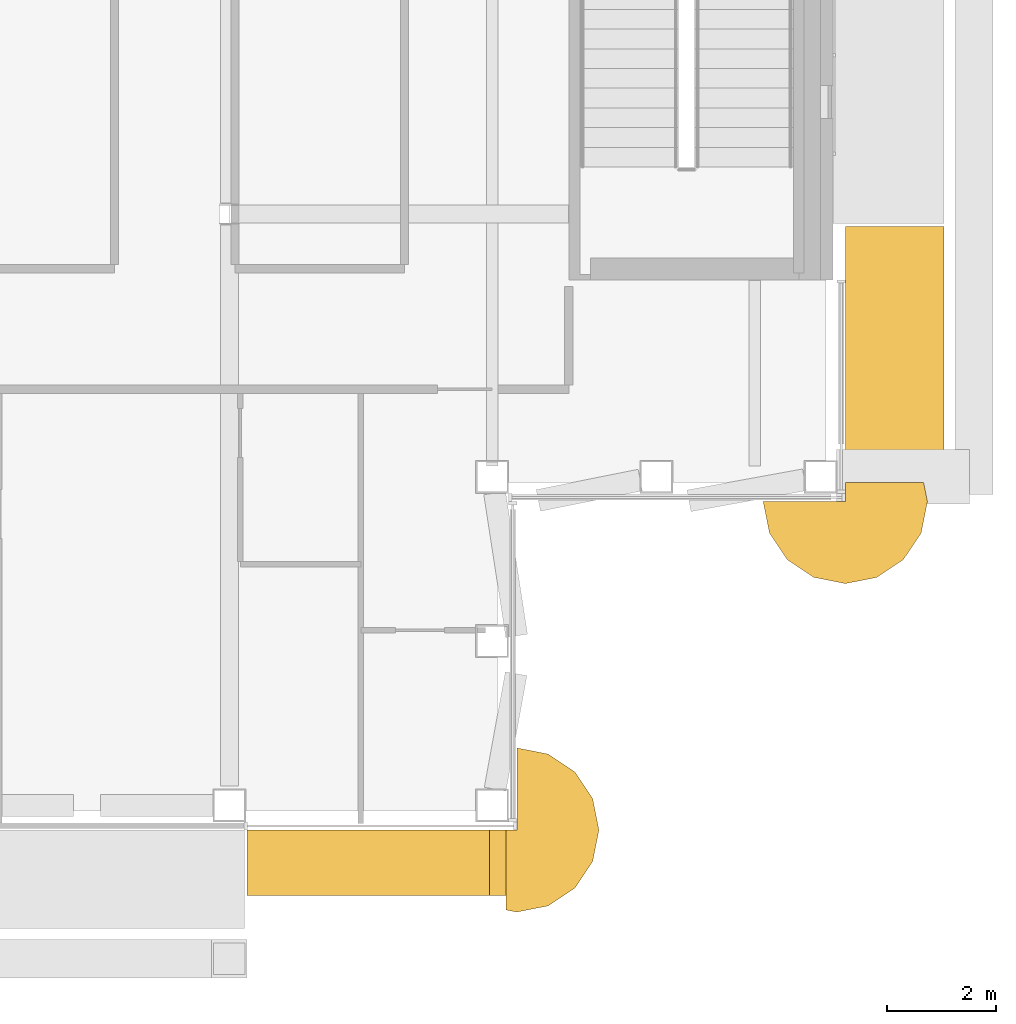
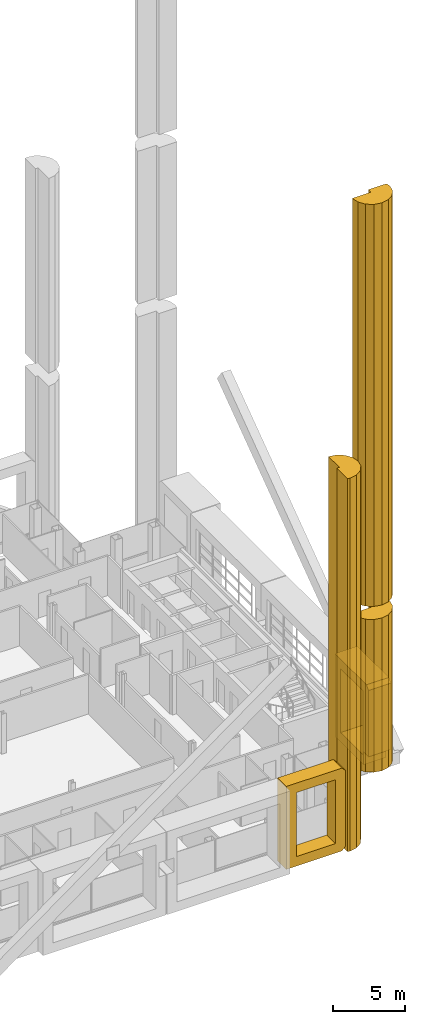
# One storey, part 22 of 29: 5 coverings.
"""IFC4 building model written with IfcOpenShell, lengths in metres."""

from ifc_helpers import new_model, si_unit, direction, frame, origin, place, context, subcontext, project, spatial, polyline, outline, extrude, material, type_object, element, save


model = new_model("IFC4")

# Units and contexts
model_context = context("Model", 3, precision=1e-05, world=origin(), true_north=direction((0.0, 1.0)))
body_context = subcontext(model_context, "Body", "Model", "MODEL_VIEW")
ifc_project = project(units=[si_unit("LENGTHUNIT", "METRE"), si_unit("AREAUNIT", "SQUARE_METRE"), si_unit("VOLUMEUNIT", "CUBIC_METRE"), si_unit("PLANEANGLEUNIT", "RADIAN"), si_unit("MASSUNIT", "GRAM", prefix="KILO")], contexts=[model_context])

# Site, building, storey
site_placement = place(None, origin())
site = spatial("IfcSite", under=ifc_project, at=site_placement, CompositionType="ELEMENT")
building_placement = place(site_placement, origin())
building = spatial("IfcBuilding", under=site, at=building_placement, Name="Cobrizo Arcos Hotel Tower", CompositionType="ELEMENT")
storey_placement = place(building_placement, frame((0.0, 0.0, 241.0)))
storey = spatial("IfcBuildingStorey", under=building, at=storey_placement, Name="L63", CompositionType="ELEMENT", Elevation=241.0)

# Coverings
ifc_material_1 = material(Name="Aluminium 6063-T6 anodised bronze", Category="aluminium")
covering_type_1 = type_object("IfcCoveringType", Name="FIN-F 1200", PredefinedType="CLADDING", material=ifc_material_1)
covering_1_placement = place(storey_placement, frame((9.925048828125, -20.85009765625, 0.0), z_axis=(0.0, -1.0, 0.0), x_axis=(1.0, 0.0, 0.0)))
element("IfcCovering", 1, at=covering_1_placement, inside=storey, type_object=covering_type_1, Name="Fin frame 410", PredefinedType="CLADDING", context=body_context, shape_type="SweptSolid", body=[
    extrude(outline(polyline([(0.0, 7.0), (0.0, 0.0), (4.425048828125, 0.0), (4.72509765625, 0.300048828125), (4.72509765625, 6.699951171875), (4.425048828125, 7.0), (0.0, 7.0)]), holes=[polyline([(3.925048828125, 0.800048828125), (0.800048828125, 0.800048828125), (0.800048828125, 6.199951171875), (3.925048828125, 6.199951171875), (3.925048828125, 0.800048828125)])]), origin(), (0.0, 0.0, 1.0), 1.199951171875),
])
covering_type_2 = type_object("IfcCoveringType", Name="FIN-F 1800", PredefinedType="CLADDING", material=ifc_material_1)
covering_2_placement = place(storey_placement, frame((20.85009765625, -14.5, 0.0), z_axis=(1.0, 0.0, 0.0), x_axis=(0.0, 1.0, 0.0)))
element("IfcCovering", 2, at=covering_2_placement, inside=storey, type_object=covering_type_2, Name="Fin frame 379", PredefinedType="CLADDING", context=body_context, shape_type="SweptSolid", body=[
    extrude(outline(polyline([(0.0, 6.699951171875), (0.0, 1.10205078125), (0.701904296875, 1.10205078125), (0.701904296875, 0.0), (4.675048828125, 0.0), (4.675048828125, 7.0), (0.300048828125, 7.0), (0.0, 6.699951171875)]), holes=[polyline([(3.875, 0.800048828125), (0.800048828125, 0.800048828125), (0.800048828125, 6.199951171875), (3.875, 6.199951171875), (3.875, 0.800048828125)])]), origin(), (0.0, 0.0, 1.0), 1.7998046875),
])
ifc_material_2 = material(Name="Aluminium 6063-T6 anodised pale", Category="aluminium")
covering_type_3 = type_object("IfcCoveringType", Name="RB-2 notch bullnose roll R1500", PredefinedType="CLADDING", material=ifc_material_2)
covering_3_placement = place(storey_placement, frame((0.0, 0.0, 1.050048828125)))
element("IfcCovering", 3, at=covering_3_placement, inside=storey, type_object=covering_type_3, Name="Notch bullnose roll 35", PredefinedType="CLADDING", context=body_context, shape_type="SweptSolid", body=[
    extrude(outline(polyline([(19.789306640625, -15.91064453125), (20.27587890625, -16.23583984375), (20.85009765625, -16.35009765625), (21.424072265625, -16.23583984375), (21.91064453125, -15.91064453125), (22.23583984375, -15.424072265625), (22.35009765625, -14.85009765625), (22.280517578125, -14.5), (20.85009765625, -14.5), (20.85009765625, -14.85009765625), (19.35009765625, -14.85009765625), (19.464111328125, -15.424072265625), (19.789306640625, -15.91064453125)])), origin(), (0.0, 0.0, 1.0), 12.89990234375),
])
covering_4_placement = place(storey_placement, frame((0.0, 0.0, 15.050048828125)))
element("IfcCovering", 4, at=covering_4_placement, inside=storey, type_object=covering_type_3, Name="Notch bullnose roll 35 part 2", PredefinedType="CLADDING", context=body_context, shape_type="SweptSolid", body=[
    extrude(outline(polyline([(19.789306640625, -15.91064453125), (20.27587890625, -16.23583984375), (20.85009765625, -16.35009765625), (21.424072265625, -16.23583984375), (21.91064453125, -15.91064453125), (22.23583984375, -15.424072265625), (22.35009765625, -14.85009765625), (22.280517578125, -14.5), (20.85009765625, -14.5), (20.85009765625, -14.85009765625), (19.35009765625, -14.85009765625), (19.464111328125, -15.424072265625), (19.789306640625, -15.91064453125)])), origin(), (0.0, 0.0, 1.0), 33.949951171875),
])
covering_5_placement = place(storey_placement, origin())
element("IfcCovering", 5, at=covering_5_placement, inside=storey, type_object=covering_type_3, Name="Notch bullnose roll 38", PredefinedType="CLADDING", context=body_context, shape_type="SweptSolid", body=[
    extrude(outline(polyline([(15.91064453125, -19.789306640625), (15.424072265625, -19.464111328125), (14.85009765625, -19.35009765625), (14.85009765625, -20.85009765625), (14.64990234375, -20.85009765625), (14.64990234375, -22.310302734375), (14.85009765625, -22.35009765625), (15.424072265625, -22.23583984375), (15.91064453125, -21.91064453125), (16.23583984375, -21.424072265625), (16.35009765625, -20.85009765625), (16.23583984375, -20.27587890625), (15.91064453125, -19.789306640625)])), origin(), (0.0, 0.0, 1.0), 31.5),
])

save(model, "model.ifc")
